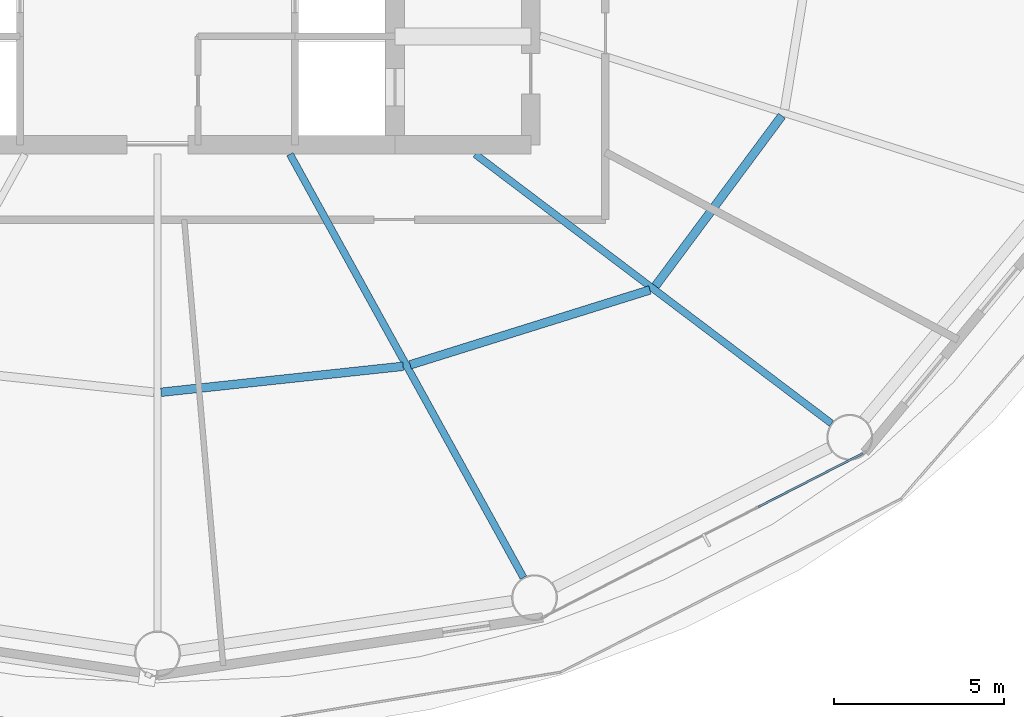
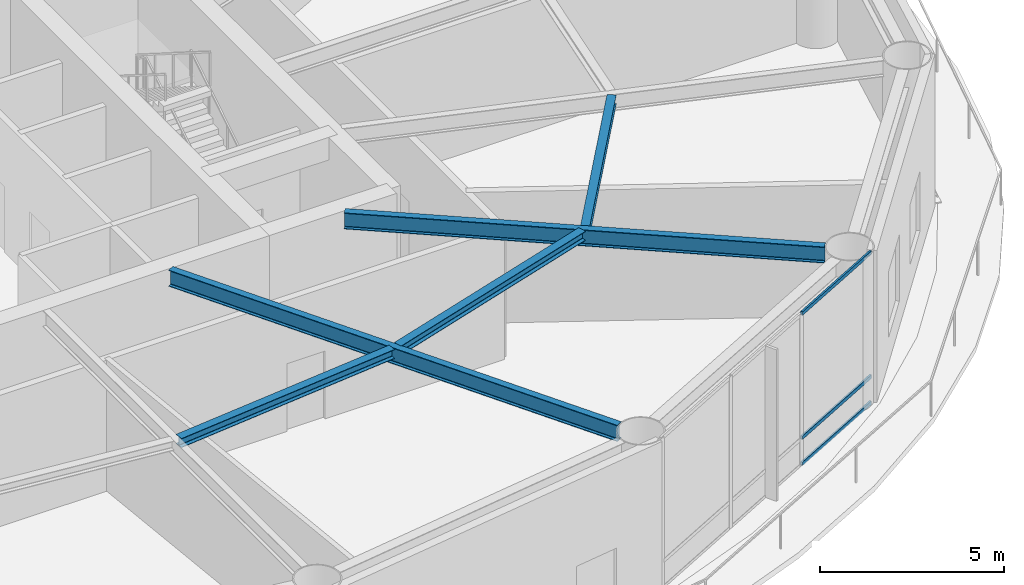
# One storey, part 6 of 25: 5 beams, 3 members, 1 element without a shape of its own.
"""IFC4 building model written with IfcOpenShell, lengths in metres."""

from ifc_helpers import new_model, si_unit, direction, frame, origin, origin_2d, place, context, subcontext, project, spatial, hollow_rectangle, i_section, extrude, material, layer, layer_set, material_profile, profile_set, type_object, element, aggregate, save


model = new_model("IFC4")

# Units and contexts
model_context = context("Model", 3, precision=1e-05, world=origin(), true_north=direction((0.0, 1.0)))
body_context = subcontext(model_context, "Body", "Model", "MODEL_VIEW")
ifc_project = project(units=[si_unit("LENGTHUNIT", "METRE"), si_unit("AREAUNIT", "SQUARE_METRE"), si_unit("VOLUMEUNIT", "CUBIC_METRE"), si_unit("PLANEANGLEUNIT", "RADIAN"), si_unit("MASSUNIT", "GRAM", prefix="KILO")], contexts=[model_context])

# Site, building, storey
site_placement = place(None, origin())
site = spatial("IfcSite", under=ifc_project, at=site_placement, CompositionType="ELEMENT")
building_placement = place(site_placement, origin())
building = spatial("IfcBuilding", under=site, at=building_placement, Name="Sarneth Arch Tower", CompositionType="ELEMENT")
storey_placement = place(building_placement, frame((0.0, 0.0, 134.39990234375)))
storey = spatial("IfcBuildingStorey", under=building, at=storey_placement, Name="L34", CompositionType="ELEMENT", Elevation=134.39990234375)

# Beams
ifc_material_1 = material(Name="Steel S355", Category="steel")
ifc_material_profile_1 = material_profile(ifc_material_1, i_section(OverallWidth=0.25390625, OverallDepth=0.305908203125, WebThickness=0.0087890625, FlangeThickness=0.0146484375, FilletRadius=0.014892578125, at=origin_2d()), Name="W310x79")
ifc_profile_set_1 = profile_set([ifc_material_profile_1], Name="Steel S355")
beam_type_1 = type_object("IfcBeamType", Name="BM-JOIST-310A", PredefinedType="JOIST", material=ifc_profile_set_1)
beam_1_placement = place(storey_placement, frame((48.10498046875, 27.9111328125, 4.897216796875), z_axis=(0.99429330851, 0.106680910441, 0.0), x_axis=(-0.106680910441, 0.99429330851, 0.0)))
element("IfcBeam", 1, at=beam_1_placement, inside=storey, type_object=beam_type_1, Name="L34 Secondary floor joist 13", PredefinedType="JOIST", context=body_context, shape_type="SweptSolid", body=[
    extrude(i_section(OverallWidth=0.25390625, OverallDepth=0.305908203125, WebThickness=0.0087890625, FlangeThickness=0.0146484375, FilletRadius=0.014892578125, at=origin_2d()), origin(), (0.0, 0.0, 1.0), 7.174560546875),
])
beam_2_placement = place(storey_placement, frame((55.4443359375, 28.71923828125, 4.897216796875), z_axis=(0.9544870201, 0.298252457594, 0.0), x_axis=(-0.298252457594, 0.9544870201, 0.0)))
element("IfcBeam", 2, at=beam_2_placement, inside=storey, type_object=beam_type_1, Name="L34 Secondary floor joist 14", PredefinedType="JOIST", context=body_context, shape_type="SweptSolid", body=[
    extrude(i_section(OverallWidth=0.25390625, OverallDepth=0.305908203125, WebThickness=0.0087890625, FlangeThickness=0.0146484375, FilletRadius=0.014892578125, at=origin_2d()), origin(), (0.0, 0.0, 1.0), 7.40234375),
])
beam_3_placement = place(storey_placement, frame((62.67333984375, 31.043212890625, 4.897216796875), z_axis=(0.596354224217, 0.80272139579, 0.0), x_axis=(-0.80272139579, 0.596354224217, 0.0)))
element("IfcBeam", 3, at=beam_3_placement, inside=storey, type_object=beam_type_1, Name="L34 Secondary floor joist 15", PredefinedType="JOIST", context=body_context, shape_type="SweptSolid", body=[
    extrude(i_section(OverallWidth=0.25390625, OverallDepth=0.305908203125, WebThickness=0.0087890625, FlangeThickness=0.0146484375, FilletRadius=0.014892578125, at=origin_2d()), origin(), (0.0, 0.0, 1.0), 6.246337890625),
])
ifc_material_2 = material(Name="Steel S355", Category="steel")
ifc_material_profile_2 = material_profile(ifc_material_2, i_section(OverallWidth=0.2109375, OverallDepth=0.5390625, WebThickness=0.01171875, FlangeThickness=0.018798828125, FilletRadius=0.01806640625, at=origin_2d()), Name="W530x109")
ifc_profile_set_2 = profile_set([ifc_material_profile_2], Name="Steel S355")
beam_type_2 = type_object("IfcBeamType", Name="BM-RAD-530B", PredefinedType="BEAM", material=ifc_profile_set_2)
beam_4_placement = place(storey_placement, frame((51.90283203125, 34.925048828125, 4.780517578125), z_axis=(0.48301301286, -0.875613173387, 0.0), x_axis=(0.875613173387, 0.48301301286, 0.0)))
element("IfcBeam", 4, at=beam_4_placement, inside=storey, type_object=beam_type_2, Name="L34 Radial floor girder 14", PredefinedType="BEAM", context=body_context, shape_type="SweptSolid", body=[
    extrude(i_section(OverallWidth=0.2109375, OverallDepth=0.5390625, WebThickness=0.01171875, FlangeThickness=0.018798828125, FilletRadius=0.01806640625, at=origin_2d()), origin(), (0.0, 0.0, 1.0), 14.246826171875),
])
beam_5_placement = place(storey_placement, frame((57.36181640625, 34.925048828125, 4.780517578125), z_axis=(0.797801476102, -0.602920230818, 0.0), x_axis=(0.602920230818, 0.797801476102, 0.0)))
element("IfcBeam", 5, at=beam_5_placement, inside=storey, type_object=beam_type_2, Name="L34 Radial floor girder 15", PredefinedType="BEAM", context=body_context, shape_type="SweptSolid", body=[
    extrude(i_section(OverallWidth=0.2109375, OverallDepth=0.5390625, WebThickness=0.01171875, FlangeThickness=0.018798828125, FilletRadius=0.01806640625, at=origin_2d()), origin(), (0.0, 0.0, 1.0), 13.15771484375),
])

# Curtain wall, members
ifc_material_3 = material(Name="Anodised aluminium Type AA25 and solar-control low-e laminated IGU", Category="aluminium")
ifc_layer = layer(ifc_material_3, 0.159912109375)
ifc_layer_set = layer_set([ifc_layer], Name="Anodised aluminium Type AA25 and solar-control low-e laminated IGU")
curtain_wall_type = type_object("IfcCurtainWallType", Name="CW-HOTEL-MID", PredefinedType="NOTDEFINED", material=ifc_layer_set)
curtain_wall_placement = place(storey_placement, origin())
curtain_wall = element("IfcCurtainWall", 6, at=curtain_wall_placement, inside=storey, type_object=curtain_wall_type, Name="L34 Unitised curtain wall facet 14", PredefinedType="NOTDEFINED")
ifc_material_4 = material(Name="Anodised Aluminium 6063-T6", Category="aluminium")
ifc_material_profile_3 = material_profile(ifc_material_4, hollow_rectangle(XDim=0.06005859375, YDim=0.1201171875, WallThickness=0.00390625, at=origin_2d()), Name="AL-TRAN-120x60x4")
ifc_profile_set_3 = profile_set([ifc_material_profile_3], Name="Anodised Aluminium 6063-T6")
member_type = type_object("IfcMemberType", Name="CW-TRANSOM", PredefinedType="USERDEFINED", material=ifc_profile_set_3)
member_1_placement = place(storey_placement, frame((65.703857421875, 24.532470703125, 0.030029296875), z_axis=(0.889942905184, 0.456071952122, 0.0), x_axis=(-0.456071952122, 0.889942905184, 0.0)))
member_1 = element("IfcMember", 7, at=member_1_placement, type_object=member_type, Name="CW-SYS-4 transom 3.1", ObjectType="TRANSOM", PredefinedType="USERDEFINED", context=body_context, shape_type="SweptSolid", body=[
    extrude(hollow_rectangle(XDim=0.06005859375, YDim=0.1201171875, WallThickness=0.00390625, at=origin_2d()), origin(), (0.0, 0.0, 1.0), 3.464111328125),
])
member_2_placement = place(storey_placement, frame((65.703857421875, 24.532470703125, 0.900146484375), z_axis=(0.889942905184, 0.456071952122, 0.0), x_axis=(-0.456071952122, 0.889942905184, 0.0)))
member_2 = element("IfcMember", 8, at=member_2_placement, type_object=member_type, Name="CW-SYS-4 transom 3.2", ObjectType="TRANSOM", PredefinedType="USERDEFINED", context=body_context, shape_type="SweptSolid", body=[
    extrude(hollow_rectangle(XDim=0.06005859375, YDim=0.1201171875, WallThickness=0.00390625, at=origin_2d()), origin(), (0.0, 0.0, 1.0), 3.464111328125),
])
member_3_placement = place(storey_placement, frame((65.703857421875, 24.532470703125, 5.02001953125), z_axis=(0.889942905184, 0.456071952122, 0.0), x_axis=(-0.456071952122, 0.889942905184, 0.0)))
member_3 = element("IfcMember", 9, at=member_3_placement, type_object=member_type, Name="CW-SYS-4 transom 3.3", ObjectType="TRANSOM", PredefinedType="USERDEFINED", context=body_context, shape_type="SweptSolid", body=[
    extrude(hollow_rectangle(XDim=0.06005859375, YDim=0.1201171875, WallThickness=0.00390625, at=origin_2d()), origin(), (0.0, 0.0, 1.0), 3.464111328125),
])
aggregate(curtain_wall, [member_1, member_2, member_3])

save(model, "model.ifc")
